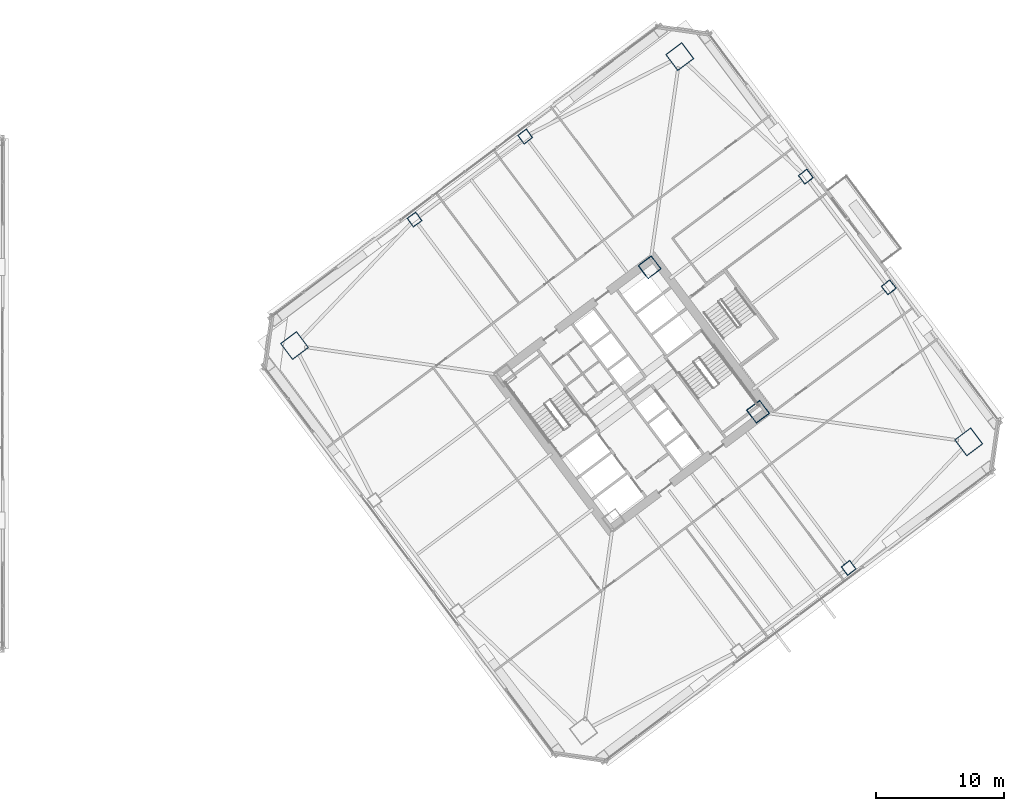
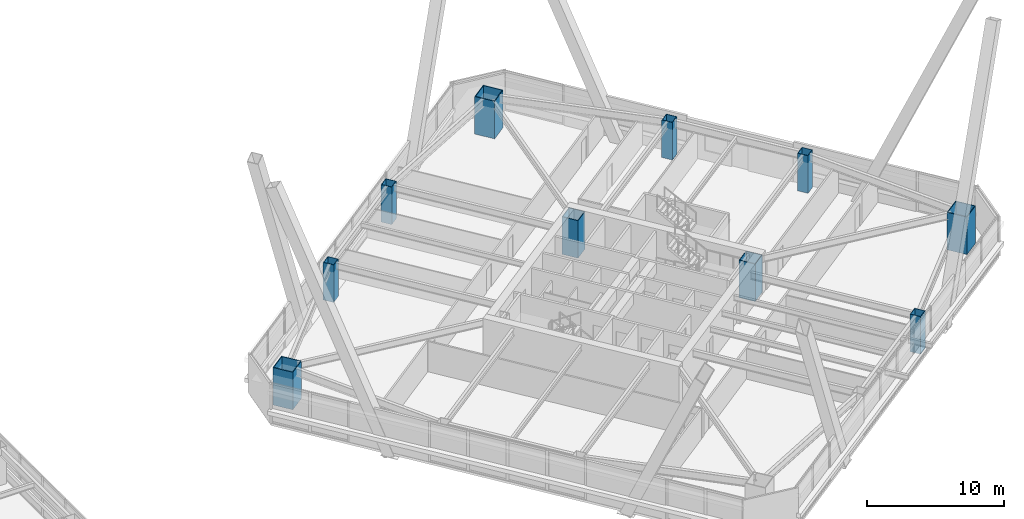
# One storey, part 2 of 75: 10 columns.
"""IFC4 building model written with IfcOpenShell, lengths in metres."""

from ifc_helpers import new_model, si_unit, direction, frame, origin, origin_2d, place, context, subcontext, project, spatial, hollow_rectangle, extrude, material, material_profile, profile_set, type_object, element, save


model = new_model("IFC4")

# Units and contexts
model_context = context("Model", 3, precision=1e-05, world=origin(), true_north=direction((0.0, 1.0)))
body_context = subcontext(model_context, "Body", "Model", "MODEL_VIEW")
ifc_project = project(units=[si_unit("LENGTHUNIT", "METRE"), si_unit("AREAUNIT", "SQUARE_METRE"), si_unit("VOLUMEUNIT", "CUBIC_METRE"), si_unit("PLANEANGLEUNIT", "RADIAN"), si_unit("MASSUNIT", "GRAM", prefix="KILO")], contexts=[model_context])

# Site, building, storey
site_placement = place(None, origin())
site = spatial("IfcSite", under=ifc_project, at=site_placement, CompositionType="ELEMENT")
building_placement = place(site_placement, origin())
building = spatial("IfcBuilding", under=site, at=building_placement, Name="Tashvorn Skyway Center", CompositionType="ELEMENT")
storey_placement = place(building_placement, frame((0.0, 0.0, 45.89990234375)))
storey = spatial("IfcBuildingStorey", under=building, at=storey_placement, Name="L11", CompositionType="ELEMENT", Elevation=45.89990234375)

# Columns
ifc_material = material(Name="Steel ASTM A572 Grade 50", Category="steel")
ifc_material_profile_1 = material_profile(ifc_material, hollow_rectangle(XDim=1.300048828125, YDim=1.300048828125, WallThickness=0.050048828125, at=origin_2d()), Name="BOX1300x1300x50")
ifc_profile_set_1 = profile_set([ifc_material_profile_1], Name="Steel ASTM A572 Grade 50")
column_type_1 = type_object("IfcColumnType", Name="COL-BOX1300x1300x50", PredefinedType="COLUMN", material=ifc_profile_set_1)
for number, where, z_axis, x_axis, name in (
    (1, (123.8701171875, 30.590087890625, 0.0), (0.0, 0.0, 1.0), (0.799999996291, 0.600000004945, 0.0), "Tower 2 L11 Core Corner Column CC-SE"),
    (2, (115.409912109375, 41.8701171875, 0.0), (0.0, 0.0, 1.0), (0.799999996291, 0.600000004945, 0.0), "Tower 2 L11 Core Corner Column CC-NE"),
):
    element("IfcColumn", number, at=place(storey_placement, frame(where, z_axis=z_axis, x_axis=x_axis)), inside=storey, type_object=column_type_1, Name=name, PredefinedType="COLUMN", context=body_context, shape_type="SweptSolid", body=[
        extrude(hollow_rectangle(XDim=1.300048828125, YDim=1.300048828125, WallThickness=0.050048828125, at=origin_2d()), origin(), (0.0, 0.0, 1.0), 3.35009765625),
    ])
ifc_material_profile_2 = material_profile(ifc_material, hollow_rectangle(XDim=1.60009765625, YDim=1.60009765625, WallThickness=0.06005859375, at=origin_2d()), Name="BOX1600x1600x60")
ifc_profile_set_2 = profile_set([ifc_material_profile_2], Name="Steel ASTM A572 Grade 50")
column_type_2 = type_object("IfcColumnType", Name="COL-BOX1600x1600x60", PredefinedType="COLUMN", material=ifc_profile_set_2)
for number, where, z_axis, x_axis, name in (
    (3, (140.320068359375, 28.239990234375, 0.0), (0.0, 0.0, 1.0), (0.799999996291, 0.600000004945, 0.0), "Tower 2 L11 Mega-Column MC-SE"),
    (4, (117.760009765625, 58.320068359375, 0.0), (0.0, 0.0, 1.0), (0.799999996291, 0.600000004945, 0.0), "Tower 2 L11 Mega-Column MC-NE"),
    (5, (87.679931640625, 35.760009765625, 0.0), (0.0, 0.0, 1.0), (0.799999996291, 0.600000004945, 0.0), "Tower 2 L11 Mega-Column MC-NW"),
):
    element("IfcColumn", number, at=place(storey_placement, frame(where, z_axis=z_axis, x_axis=x_axis)), inside=storey, type_object=column_type_2, Name=name, PredefinedType="COLUMN", context=body_context, shape_type="SweptSolid", body=[
        extrude(hollow_rectangle(XDim=1.60009765625, YDim=1.60009765625, WallThickness=0.06005859375, at=origin_2d()), origin(), (0.0, 0.0, 1.0), 3.35009765625),
    ])
ifc_material_profile_3 = material_profile(ifc_material, hollow_rectangle(XDim=0.85009765625, YDim=0.85009765625, WallThickness=0.034912109375, at=origin_2d()), Name="BOX850x850x35")
ifc_profile_set_3 = profile_set([ifc_material_profile_3], Name="Steel ASTM A572 Grade 50")
column_type_3 = type_object("IfcColumnType", Name="COL-BOX850x850x35", PredefinedType="COLUMN", material=ifc_profile_set_3)
for number, where, z_axis, x_axis, name in (
    (6, (130.949951171875, 18.39990234375, 0.0), (0.0, 0.0, 1.0), (0.799999996291, 0.600000004945, 0.0), "Tower 2 L11 Perimeter Column FC-S2"),
    (7, (134.080078125, 40.31005859375, 0.0), (0.0, 0.0, 1.0), (0.799999996291, 0.600000004945, 0.0), "Tower 2 L11 Perimeter Column FC-E1"),
    (8, (127.60009765625, 48.949951171875, 0.0), (0.0, 0.0, 1.0), (0.799999996291, 0.600000004945, 0.0), "Tower 2 L11 Perimeter Column FC-E2"),
    (9, (105.68994140625, 52.080078125, 0.0), (0.0, 0.0, 1.0), (0.799999996291, 0.600000004945, 0.0), "Tower 2 L11 Perimeter Column FC-N1"),
    (10, (97.050048828125, 45.60009765625, 0.0), (0.0, 0.0, 1.0), (0.799999996291, 0.600000004945, 0.0), "Tower 2 L11 Perimeter Column FC-N2"),
):
    element("IfcColumn", number, at=place(storey_placement, frame(where, z_axis=z_axis, x_axis=x_axis)), inside=storey, type_object=column_type_3, Name=name, PredefinedType="COLUMN", context=body_context, shape_type="SweptSolid", body=[
        extrude(hollow_rectangle(XDim=0.85009765625, YDim=0.85009765625, WallThickness=0.034912109375, at=origin_2d()), origin(), (0.0, 0.0, 1.0), 3.35009765625),
    ])

save(model, "model.ifc")
